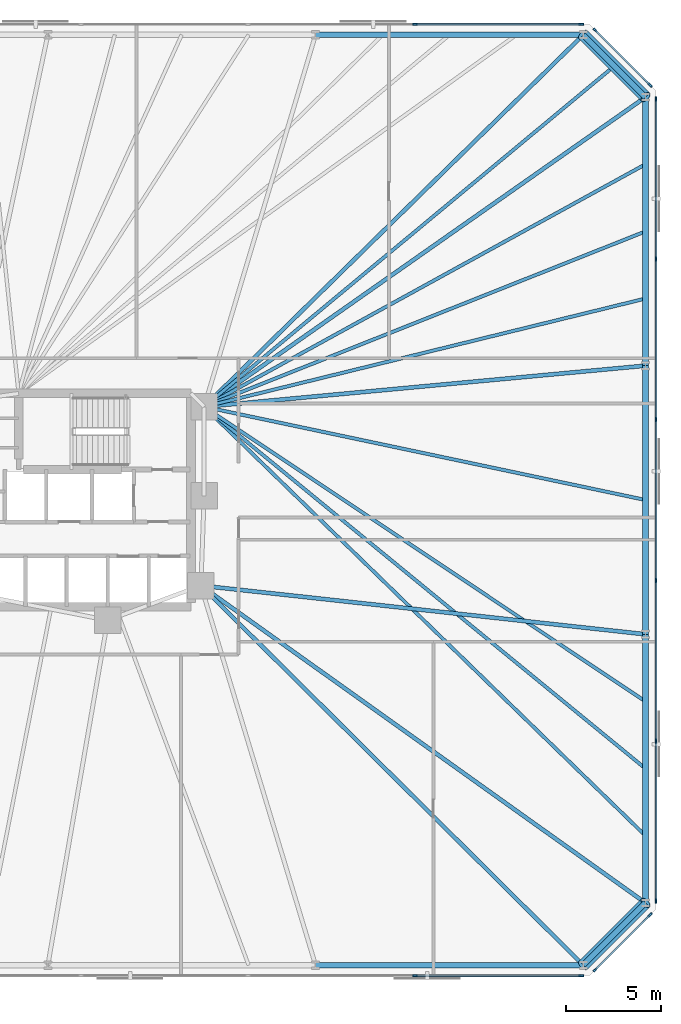
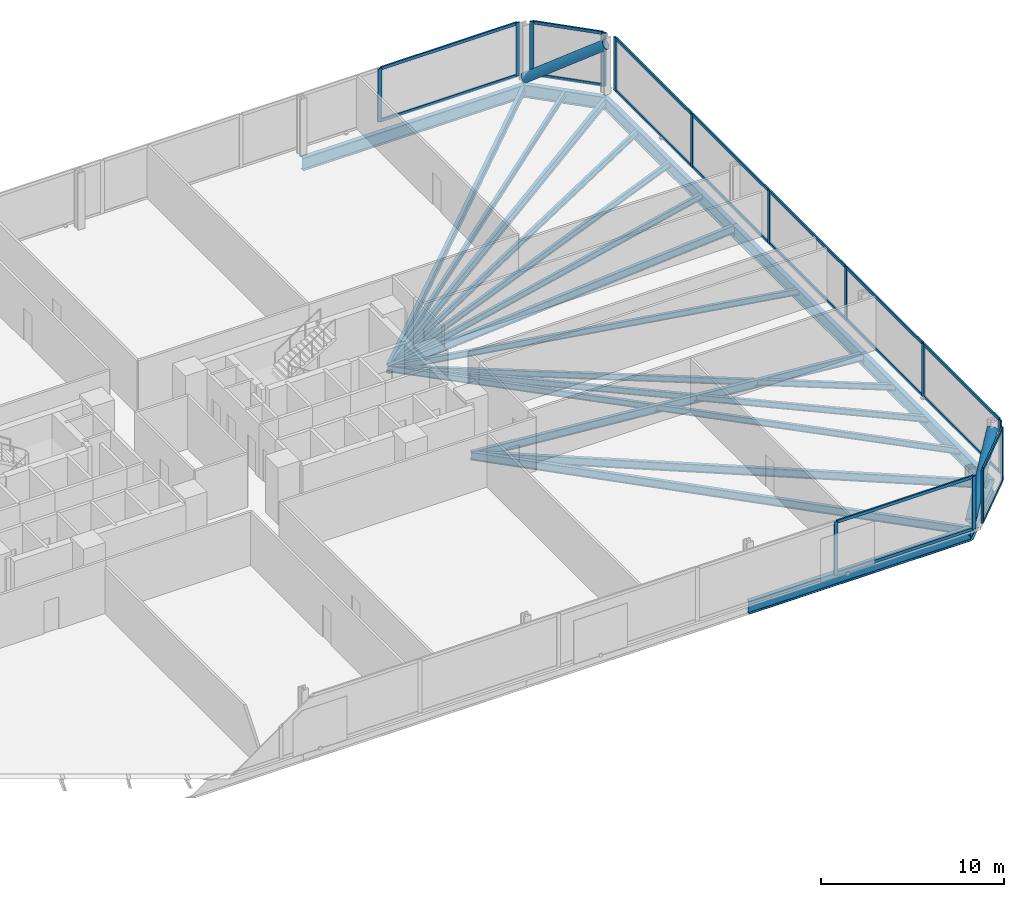
# One storey, part 10 of 17: 34 members, 21 beams, 5 elements without a shape of their own.
"""IFC4 building model written with IfcOpenShell, lengths in metres."""

import ifcopenshell
import ifcopenshell.guid

model = None  # the IFC model being written
_history = None  # IfcOwnerHistory: only IFC2X3 demands one
_inside = {}  # id of a spatial element -> (the spatial element, [elements in it])
_under = {}  # id of a project, library or spatial element -> (it, [spatial elements below it])
_declared = {}  # id of a project -> (the project, [libraries it declares])
_typed = {}  # id of a type object -> (the type object, [elements of that type])
_made_of = {}  # id of a material, layer set ... -> (it, [elements and type objects made of it])


def new_model(schema):
    """Start an empty IFC model of exactly this schema.

    Asked for "IFC4X3", IfcOpenShell would pick the latest addendum, in which some entities
    have other attributes; the version numbers below select the first issue.
    IFC2X3 requires an IfcOwnerHistory on every rooted entity: one is made here for all.
    """
    global model, _history
    if schema == "IFC4X3":
        model = ifcopenshell.file(schema_version=(4, 3, 0, 0))
    else:
        model = ifcopenshell.file(schema=schema)
    _inside.clear()
    _under.clear()
    _declared.clear()
    _typed.clear()
    _made_of.clear()
    _history = None
    if model.schema == "IFC2X3":
        org = make("IfcOrganization", Name="unknown")
        user = make(
            "IfcPersonAndOrganization",
            ThePerson=make("IfcPerson", FamilyName="unknown"),
            TheOrganization=org,
        )
        app = make(
            "IfcApplication",
            ApplicationDeveloper=org,
            Version="unknown",
            ApplicationFullName="unknown",
            ApplicationIdentifier="unknown",
        )
        _history = make(
            "IfcOwnerHistory",
            OwningUser=user,
            OwningApplication=app,
            ChangeAction="ADDED",
            CreationDate=0,
        )
    return model


def make(cls, **values):
    """One entity of the class cls with the attributes given. An attribute that is None is left unset."""
    return model.create_entity(
        cls, **{name: value for name, value in values.items() if value is not None}
    )


def rooted(cls, **values):
    """An entity with a GlobalId (a new one), such as an element, a storey or a relation."""
    return make(cls, GlobalId=ifcopenshell.guid.new(), OwnerHistory=_history, **values)


def si_unit(unit_type, name, prefix=None):
    """IfcSIUnit, for example si_unit("LENGTHUNIT", "METRE", prefix="MILLI")."""
    return make("IfcSIUnit", UnitType=unit_type, Prefix=prefix, Name=name)


def assignment(units):
    """IfcUnitAssignment: the units of a project."""
    return None if units is None else make("IfcUnitAssignment", Units=units)


def point(xyz):
    """IfcCartesianPoint."""
    return None if xyz is None else make("IfcCartesianPoint", Coordinates=xyz)


def direction(xyz):
    """IfcDirection."""
    return None if xyz is None else make("IfcDirection", DirectionRatios=xyz)


def frame(location, z_axis=None, x_axis=None):
    """IfcAxis2Placement3D, a coordinate frame: its origin and axes. An axis left out is left unset."""
    return make(
        "IfcAxis2Placement3D",
        Location=point(location),
        Axis=direction(z_axis),
        RefDirection=direction(x_axis),
    )


def frame_2d(location, x_axis=None):
    """IfcAxis2Placement2D, a coordinate frame in the plane: its origin and x axis."""
    return make(
        "IfcAxis2Placement2D", Location=point(location), RefDirection=direction(x_axis)
    )


def origin():
    """The frame at (0, 0, 0) with its axes left unset."""
    return frame((0.0, 0.0, 0.0))


def origin_2d():
    """The frame at (0, 0) in the plane with its x axis left unset."""
    return frame_2d((0.0, 0.0))


def place(relative_to, where):
    """IfcLocalPlacement: puts the frame where relative to a parent placement (None: the world)."""
    return make(
        "IfcLocalPlacement", PlacementRelTo=relative_to, RelativePlacement=where
    )


def context(
    kind, dimensions, precision=None, world=None, true_north=None, identifier=None
):
    """IfcGeometricRepresentationContext, for example the 3D "Model" context."""
    return make(
        "IfcGeometricRepresentationContext",
        ContextIdentifier=identifier,
        ContextType=kind,
        CoordinateSpaceDimension=dimensions,
        Precision=precision,
        WorldCoordinateSystem=world,
        TrueNorth=true_north,
    )


def subcontext(parent, identifier, kind, view, scale=None):
    """IfcGeometricRepresentationSubContext, for example "Body" below "Model"."""
    return make(
        "IfcGeometricRepresentationSubContext",
        ContextIdentifier=identifier,
        ContextType=kind,
        ParentContext=parent,
        TargetScale=scale,
        TargetView=view,
    )


def project(units=None, contexts=None):
    """IfcProject with its units and contexts."""
    return rooted(
        "IfcProject",
        Name="project",
        RepresentationContexts=contexts,
        UnitsInContext=assignment(units),
    )


def spatial(cls, under=None, at=None, **own):
    """A site, building, storey or space (cls), placed at a placement, below another one or the project."""
    s = rooted(cls, ObjectPlacement=at, **own)
    if under is not None:
        _under.setdefault(under.id(), (under, []))[1].append(s)
    return s


def profile(cls, at=None, kind="AREA", **sizes):
    """A parametric profile (cls). Its sizes go by their IFC names, for example OverallWidth=200.0."""
    return make(cls, ProfileType=kind, Position=at, **sizes)


def rectangle(**sizes):
    """IfcRectangleProfileDef."""
    return profile("IfcRectangleProfileDef", **sizes)


def hollow_circle(**sizes):
    """IfcCircleHollowProfileDef."""
    return profile("IfcCircleHollowProfileDef", **sizes)


def i_section(**sizes):
    """IfcIShapeProfileDef."""
    return profile("IfcIShapeProfileDef", **sizes)


def extrude(swept, where, along, depth):
    """IfcExtrudedAreaSolid: the profile swept, set in the frame where, extruded along a direction by depth."""
    return make(
        "IfcExtrudedAreaSolid",
        SweptArea=swept,
        Position=where,
        ExtrudedDirection=direction(along),
        Depth=depth,
    )


def shape(context_of_items, identifier, shape_type, items):
    """IfcShapeRepresentation: the items that make up one representation, for example the "Body"."""
    return make(
        "IfcShapeRepresentation",
        ContextOfItems=context_of_items,
        RepresentationIdentifier=identifier,
        RepresentationType=shape_type,
        Items=items,
    )


def material(Name=None, Category=None):
    """IfcMaterial."""
    return make("IfcMaterial", Name=Name, Category=Category)


def material_profile(
    of_material, cross_section, Name=None, Category=None, Priority=None
):
    """IfcMaterialProfile: a cross section and its material."""
    return make(
        "IfcMaterialProfile",
        Name=Name,
        Material=of_material,
        Profile=cross_section,
        Priority=Priority,
        Category=Category,
    )


def profile_set(profiles, Name=None, composite=None):
    """IfcMaterialProfileSet."""
    return make(
        "IfcMaterialProfileSet",
        Name=Name,
        MaterialProfiles=profiles,
        CompositeProfile=composite,
    )


def made_of(thing, what):
    """Note that an element or type object is made of a material, layer set ...; save() writes the relation."""
    if what is not None:
        _made_of.setdefault(what.id(), (what, []))[1].append(thing)
    return thing


def type_object(cls, material=None, **own):
    """A type object (cls), such as IfcWallType, which elements share."""
    return made_of(rooted(cls, **own), material)


def element(
    cls,
    number,
    at=None,
    inside=None,
    cuts=None,
    type_object=None,
    material=None,
    context=None,
    identifier="Body",
    shape_type=None,
    held_by="IfcProductDefinitionShape",
    body=None,
    shapes=None,
    **own,
):
    """One element of the class cls, such as IfcWall. Its Tag is "e" and its number.

    at: its placement. inside: the storey or other place that contains it. cuts: it is an
    opening in that element (IfcRelVoidsElement). A single representation is given by context,
    identifier, shape_type and body (its items); several are given by shapes. held_by: the class
    of the entity that holds the representations. save() writes the other relations.
    """
    e = rooted(cls, Tag="e%d" % number, ObjectPlacement=at, **own)
    if body is not None:
        shapes = [shape(context, identifier, shape_type, body)]
    if shapes is not None:
        e.Representation = make(held_by, Representations=shapes)
    if inside is not None:
        _inside.setdefault(inside.id(), (inside, []))[1].append(e)
    if cuts is not None:
        rooted(
            "IfcRelVoidsElement", RelatingBuildingElement=cuts, RelatedOpeningElement=e
        )
    if type_object is not None:
        _typed.setdefault(type_object.id(), (type_object, []))[1].append(e)
    return made_of(e, material)


def aggregate(whole, parts):
    """IfcRelAggregates: a whole, such as a stair, and the parts it consists of."""
    return rooted("IfcRelAggregates", RelatingObject=whole, RelatedObjects=parts)


def save(model, path):
    """Write the relations noted so far, then the file.

    IfcRelAggregates (storeys below a building ...), IfcRelContainedInSpatialStructure (elements
    in a storey), IfcRelDefinesByType, IfcRelAssociatesMaterial and IfcRelDeclares: one each for
    every whole, place, type object, material and project.
    """
    for whole, parts in _under.values():
        aggregate(whole, parts)
    for where, things in _inside.values():
        rooted(
            "IfcRelContainedInSpatialStructure",
            RelatedElements=things,
            RelatingStructure=where,
        )
    for kind, things in _typed.values():
        rooted("IfcRelDefinesByType", RelatedObjects=things, RelatingType=kind)
    for what, things in _made_of.values():
        rooted("IfcRelAssociatesMaterial", RelatedObjects=things, RelatingMaterial=what)
    for by, libraries in _declared.values():
        rooted("IfcRelDeclares", RelatingContext=by, RelatedDefinitions=libraries)
    model.write(path)


model = new_model("IFC4")

# Units and contexts
model_context = context("Model", 3, precision=1e-05, world=origin(), true_north=direction((0.0, 1.0)))
body_context = subcontext(model_context, "Body", "Model", "MODEL_VIEW")
ifc_project = project(units=[si_unit("LENGTHUNIT", "METRE"), si_unit("AREAUNIT", "SQUARE_METRE"), si_unit("VOLUMEUNIT", "CUBIC_METRE"), si_unit("PLANEANGLEUNIT", "RADIAN"), si_unit("MASSUNIT", "GRAM", prefix="KILO")], contexts=[model_context])

# Site, building, storey
site_placement = place(None, origin())
site = spatial("IfcSite", under=ifc_project, at=site_placement, CompositionType="ELEMENT")
building_placement = place(site_placement, origin())
building = spatial("IfcBuilding", under=site, at=building_placement, Name="Menara Jurai Vektor", CompositionType="ELEMENT")
storey_placement = place(building_placement, frame((0.0, 0.0, 18.0)))
storey = spatial("IfcBuildingStorey", under=building, at=storey_placement, Name="L03", CompositionType="ELEMENT", Elevation=18.0)

# Curtain wall, members
ifc_material_1 = material(Name="Anodised Pale Aluminium & Low-E Double Glazing", Category="aluminium")
curtain_wall_type = type_object("IfcCurtainWallType", Name="CW-BLK1", PredefinedType="NOTDEFINED", material=ifc_material_1)
curtain_wall_1_placement = place(storey_placement, origin())
curtain_wall_1 = element("IfcCurtainWall", 1, at=curtain_wall_1_placement, inside=storey, type_object=curtain_wall_type, Name="Unitised Curtain Wall L03 F01", PredefinedType="NOTDEFINED")
ifc_material_2 = material(Name="Anodised Pale Aluminium Mullion", Category="aluminium")
ifc_material_profile_1 = material_profile(ifc_material_2, rectangle(XDim=0.094970703125, YDim=0.239990234375, at=origin_2d()), Name="ALU MUL 95x240")
ifc_profile_set_1 = profile_set([ifc_material_profile_1], Name="Anodised Pale Aluminium Mullion")
member_type_1 = type_object("IfcMemberType", Name="CW-BLK1-MUL", PredefinedType="MULLION", material=ifc_profile_set_1)
member_1_placement = place(storey_placement, frame((26.340087890625, -25.0, 0.0), z_axis=(0.0, 0.0, 1.0), x_axis=(0.0, 1.0, 0.0)))
member_1 = element("IfcMember", 2, at=member_1_placement, type_object=member_type_1, Name="CW-01 mullion 8", PredefinedType="MULLION", context=body_context, shape_type="SweptSolid", body=[
    extrude(rectangle(XDim=0.094970703125, YDim=0.239990234375, at=origin_2d()), origin(), (0.0, 0.0, 1.0), 3.574951171875),
])
member_2_placement = place(storey_placement, frame((35.072509765625, -25.0, 0.0), z_axis=(0.0, 0.0, 1.0), x_axis=(0.0, 1.0, 0.0)))
member_2 = element("IfcMember", 3, at=member_2_placement, type_object=member_type_1, Name="CW-01 mullion 9", PredefinedType="MULLION", context=body_context, shape_type="SweptSolid", body=[
    extrude(rectangle(XDim=0.094970703125, YDim=0.239990234375, at=origin_2d()), origin(), (0.0, 0.0, 1.0), 3.574951171875),
])

curtain_wall_2_placement = place(storey_placement, origin())
curtain_wall_2 = element("IfcCurtainWall", 4, at=curtain_wall_2_placement, inside=storey, type_object=curtain_wall_type, Name="Unitised Curtain Wall L03 F02", PredefinedType="NOTDEFINED")
member_3_placement = place(storey_placement, frame((35.80224609375, -24.69775390625, 0.0), z_axis=(0.0, 0.0, 1.0), x_axis=(-0.707106781187, 0.707106781187, 0.0)))
member_3 = element("IfcMember", 5, at=member_3_placement, type_object=member_type_1, Name="CW-01 mullion 1", PredefinedType="MULLION", context=body_context, shape_type="SweptSolid", body=[
    extrude(rectangle(XDim=0.094970703125, YDim=0.239990234375, at=origin_2d()), origin(), (0.0, 0.0, 1.0), 3.574951171875),
])
member_4_placement = place(storey_placement, frame((38.69775390625, -21.80224609375, 0.0), z_axis=(0.0, 0.0, 1.0), x_axis=(-0.707106781187, 0.707106781187, 0.0)))
member_4 = element("IfcMember", 6, at=member_4_placement, type_object=member_type_1, Name="CW-01 mullion 2", PredefinedType="MULLION", context=body_context, shape_type="SweptSolid", body=[
    extrude(rectangle(XDim=0.094970703125, YDim=0.239990234375, at=origin_2d()), origin(), (0.0, 0.0, 1.0), 3.574951171875),
])

curtain_wall_3_placement = place(storey_placement, origin())
curtain_wall_3 = element("IfcCurtainWall", 7, at=curtain_wall_3_placement, inside=storey, type_object=curtain_wall_type, Name="Unitised Curtain Wall L03 F03", PredefinedType="NOTDEFINED")
member_5_placement = place(storey_placement, frame((39.0, -21.072509765625, 0.0), z_axis=(0.0, 0.0, 1.0), x_axis=(-1.0, 0.0, 0.0)))
member_5 = element("IfcMember", 8, at=member_5_placement, type_object=member_type_1, Name="CW-01 mullion 1", PredefinedType="MULLION", context=body_context, shape_type="SweptSolid", body=[
    extrude(rectangle(XDim=0.094970703125, YDim=0.239990234375, at=origin_2d()), origin(), (0.0, 0.0, 1.0), 3.574951171875),
])
member_6_placement = place(storey_placement, frame((39.0, -12.672119140625, 0.0), z_axis=(0.0, 0.0, 1.0), x_axis=(-1.0, 0.0, 0.0)))
member_6 = element("IfcMember", 9, at=member_6_placement, type_object=member_type_1, Name="CW-01 mullion 2", PredefinedType="MULLION", context=body_context, shape_type="SweptSolid", body=[
    extrude(rectangle(XDim=0.094970703125, YDim=0.239990234375, at=origin_2d()), origin(), (0.0, 0.0, 1.0), 3.574951171875),
])
member_7_placement = place(storey_placement, frame((39.0, -4.22412109375, 0.0), z_axis=(0.0, 0.0, 1.0), x_axis=(-1.0, 0.0, 0.0)))
member_7 = element("IfcMember", 10, at=member_7_placement, type_object=member_type_1, Name="CW-01 mullion 3", PredefinedType="MULLION", context=body_context, shape_type="SweptSolid", body=[
    extrude(rectangle(XDim=0.094970703125, YDim=0.239990234375, at=origin_2d()), origin(), (0.0, 0.0, 1.0), 3.574951171875),
])
member_8_placement = place(storey_placement, frame((39.0, 4.22412109375, 0.0), z_axis=(0.0, 0.0, 1.0), x_axis=(-1.0, 0.0, 0.0)))
member_8 = element("IfcMember", 11, at=member_8_placement, type_object=member_type_1, Name="CW-01 mullion 4", PredefinedType="MULLION", context=body_context, shape_type="SweptSolid", body=[
    extrude(rectangle(XDim=0.094970703125, YDim=0.239990234375, at=origin_2d()), origin(), (0.0, 0.0, 1.0), 3.574951171875),
])
member_9_placement = place(storey_placement, frame((39.0, 12.672119140625, 0.0), z_axis=(0.0, 0.0, 1.0), x_axis=(-1.0, 0.0, 0.0)))
member_9 = element("IfcMember", 12, at=member_9_placement, type_object=member_type_1, Name="CW-01 mullion 5", PredefinedType="MULLION", context=body_context, shape_type="SweptSolid", body=[
    extrude(rectangle(XDim=0.094970703125, YDim=0.239990234375, at=origin_2d()), origin(), (0.0, 0.0, 1.0), 3.574951171875),
])
member_10_placement = place(storey_placement, frame((39.0, 21.072509765625, 0.0), z_axis=(0.0, 0.0, 1.0), x_axis=(-1.0, 0.0, 0.0)))
member_10 = element("IfcMember", 13, at=member_10_placement, type_object=member_type_1, Name="CW-01 mullion 6", PredefinedType="MULLION", context=body_context, shape_type="SweptSolid", body=[
    extrude(rectangle(XDim=0.094970703125, YDim=0.239990234375, at=origin_2d()), origin(), (0.0, 0.0, 1.0), 3.574951171875),
])

curtain_wall_4_placement = place(storey_placement, origin())
curtain_wall_4 = element("IfcCurtainWall", 14, at=curtain_wall_4_placement, inside=storey, type_object=curtain_wall_type, Name="Unitised Curtain Wall L03 F04", PredefinedType="NOTDEFINED")
member_11_placement = place(storey_placement, frame((38.69775390625, 21.80224609375, 0.0), z_axis=(0.0, 0.0, 1.0), x_axis=(-0.707106781187, -0.707106781187, 0.0)))
member_11 = element("IfcMember", 15, at=member_11_placement, type_object=member_type_1, Name="CW-01 mullion 1", PredefinedType="MULLION", context=body_context, shape_type="SweptSolid", body=[
    extrude(rectangle(XDim=0.094970703125, YDim=0.239990234375, at=origin_2d()), origin(), (0.0, 0.0, 1.0), 3.574951171875),
])
member_12_placement = place(storey_placement, frame((35.80224609375, 24.69775390625, 0.0), z_axis=(0.0, 0.0, 1.0), x_axis=(-0.707106781187, -0.707106781187, 0.0)))
member_12 = element("IfcMember", 16, at=member_12_placement, type_object=member_type_1, Name="CW-01 mullion 2", PredefinedType="MULLION", context=body_context, shape_type="SweptSolid", body=[
    extrude(rectangle(XDim=0.094970703125, YDim=0.239990234375, at=origin_2d()), origin(), (0.0, 0.0, 1.0), 3.574951171875),
])

curtain_wall_5_placement = place(storey_placement, origin())
curtain_wall_5 = element("IfcCurtainWall", 17, at=curtain_wall_5_placement, inside=storey, type_object=curtain_wall_type, Name="Unitised Curtain Wall L03 F05", PredefinedType="NOTDEFINED")
member_13_placement = place(storey_placement, frame((35.072509765625, 25.0, 0.0), z_axis=(0.0, 0.0, 1.0), x_axis=(0.0, -1.0, 0.0)))
member_13 = element("IfcMember", 18, at=member_13_placement, type_object=member_type_1, Name="CW-01 mullion 1", PredefinedType="MULLION", context=body_context, shape_type="SweptSolid", body=[
    extrude(rectangle(XDim=0.094970703125, YDim=0.239990234375, at=origin_2d()), origin(), (0.0, 0.0, 1.0), 3.574951171875),
])
member_14_placement = place(storey_placement, frame((26.340087890625, 25.0, 0.0), z_axis=(0.0, 0.0, 1.0), x_axis=(0.0, -1.0, 0.0)))
member_14 = element("IfcMember", 19, at=member_14_placement, type_object=member_type_1, Name="CW-01 mullion 2", PredefinedType="MULLION", context=body_context, shape_type="SweptSolid", body=[
    extrude(rectangle(XDim=0.094970703125, YDim=0.239990234375, at=origin_2d()), origin(), (0.0, 0.0, 1.0), 3.574951171875),
])

# Member
ifc_material_3 = material(Name="Anodised Pale Aluminium Transom", Category="aluminium")
ifc_material_profile_2 = material_profile(ifc_material_3, rectangle(XDim=0.094970703125, YDim=0.199951171875, at=origin_2d()), Name="ALU TRN 95x200")
ifc_profile_set_2 = profile_set([ifc_material_profile_2], Name="Anodised Pale Aluminium Transom")
member_type_2 = type_object("IfcMemberType", Name="CW-BLK1-TRN", PredefinedType="USERDEFINED", material=ifc_profile_set_2)
member_15_placement = place(storey_placement, frame((26.387451171875, -25.0, 0.047607421875), z_axis=(1.0, 0.0, 0.0), x_axis=(0.0, 1.0, 0.0)))
member_15 = element("IfcMember", 20, at=member_15_placement, type_object=member_type_2, Name="CW-01 transom 8.1", ObjectType="TRANSOM", PredefinedType="USERDEFINED", context=body_context, shape_type="SweptSolid", body=[
    extrude(rectangle(XDim=0.094970703125, YDim=0.199951171875, at=origin_2d()), origin(), (0.0, 0.0, 1.0), 8.637451171875),
])

member_16_placement = place(storey_placement, frame((26.387451171875, -25.0, 3.527587890625), z_axis=(1.0, 0.0, 0.0), x_axis=(0.0, 1.0, 0.0)))
member_16 = element("IfcMember", 21, at=member_16_placement, type_object=member_type_2, Name="CW-01 transom 8.2", ObjectType="TRANSOM", PredefinedType="USERDEFINED", context=body_context, shape_type="SweptSolid", body=[
    extrude(rectangle(XDim=0.094970703125, YDim=0.199951171875, at=origin_2d()), origin(), (0.0, 0.0, 1.0), 8.637451171875),
])

aggregate(curtain_wall_1, [member_1, member_2, member_15, member_16])

member_17_placement = place(storey_placement, frame((35.8359375, -24.6640625, 0.047607421875), z_axis=(0.707106781187, 0.707106781187, 0.0), x_axis=(-0.707106781187, 0.707106781187, 0.0)))
member_17 = element("IfcMember", 22, at=member_17_placement, type_object=member_type_2, Name="CW-01 transom 1.1", ObjectType="TRANSOM", PredefinedType="USERDEFINED", context=body_context, shape_type="SweptSolid", body=[
    extrude(rectangle(XDim=0.094970703125, YDim=0.199951171875, at=origin_2d()), origin(), (0.0, 0.0, 1.0), 3.99951171875),
])

member_18_placement = place(storey_placement, frame((35.8359375, -24.6640625, 3.527587890625), z_axis=(0.707106781187, 0.707106781187, 0.0), x_axis=(-0.707106781187, 0.707106781187, 0.0)))
member_18 = element("IfcMember", 23, at=member_18_placement, type_object=member_type_2, Name="CW-01 transom 1.2", ObjectType="TRANSOM", PredefinedType="USERDEFINED", context=body_context, shape_type="SweptSolid", body=[
    extrude(rectangle(XDim=0.094970703125, YDim=0.199951171875, at=origin_2d()), origin(), (0.0, 0.0, 1.0), 3.99951171875),
])

aggregate(curtain_wall_2, [member_3, member_4, member_17, member_18])

member_19_placement = place(storey_placement, frame((39.0, -21.02490234375, 0.047607421875), z_axis=(0.0, 1.0, 0.0), x_axis=(-1.0, 0.0, 0.0)))
member_19 = element("IfcMember", 24, at=member_19_placement, type_object=member_type_2, Name="CW-01 transom 1.1", ObjectType="TRANSOM", PredefinedType="USERDEFINED", context=body_context, shape_type="SweptSolid", body=[
    extrude(rectangle(XDim=0.094970703125, YDim=0.199951171875, at=origin_2d()), origin(), (0.0, 0.0, 1.0), 8.305419921875),
])

member_20_placement = place(storey_placement, frame((39.0, -21.02490234375, 3.527587890625), z_axis=(0.0, 1.0, 0.0), x_axis=(-1.0, 0.0, 0.0)))
member_20 = element("IfcMember", 25, at=member_20_placement, type_object=member_type_2, Name="CW-01 transom 1.2", ObjectType="TRANSOM", PredefinedType="USERDEFINED", context=body_context, shape_type="SweptSolid", body=[
    extrude(rectangle(XDim=0.094970703125, YDim=0.199951171875, at=origin_2d()), origin(), (0.0, 0.0, 1.0), 8.305419921875),
])

member_21_placement = place(storey_placement, frame((39.0, -12.62451171875, 0.047607421875), z_axis=(0.0, 1.0, 0.0), x_axis=(-1.0, 0.0, 0.0)))
member_21 = element("IfcMember", 26, at=member_21_placement, type_object=member_type_2, Name="CW-01 transom 2.1", ObjectType="TRANSOM", PredefinedType="USERDEFINED", context=body_context, shape_type="SweptSolid", body=[
    extrude(rectangle(XDim=0.094970703125, YDim=0.199951171875, at=origin_2d()), origin(), (0.0, 0.0, 1.0), 8.35302734375),
])

member_22_placement = place(storey_placement, frame((39.0, -12.62451171875, 3.527587890625), z_axis=(0.0, 1.0, 0.0), x_axis=(-1.0, 0.0, 0.0)))
member_22 = element("IfcMember", 27, at=member_22_placement, type_object=member_type_2, Name="CW-01 transom 2.2", ObjectType="TRANSOM", PredefinedType="USERDEFINED", context=body_context, shape_type="SweptSolid", body=[
    extrude(rectangle(XDim=0.094970703125, YDim=0.199951171875, at=origin_2d()), origin(), (0.0, 0.0, 1.0), 8.35302734375),
])

member_23_placement = place(storey_placement, frame((39.0, -4.176513671875, 0.047607421875), z_axis=(0.0, 1.0, 0.0), x_axis=(-1.0, 0.0, 0.0)))
member_23 = element("IfcMember", 28, at=member_23_placement, type_object=member_type_2, Name="CW-01 transom 3.1", ObjectType="TRANSOM", PredefinedType="USERDEFINED", context=body_context, shape_type="SweptSolid", body=[
    extrude(rectangle(XDim=0.094970703125, YDim=0.199951171875, at=origin_2d()), origin(), (0.0, 0.0, 1.0), 8.35302734375),
])

member_24_placement = place(storey_placement, frame((39.0, -4.176513671875, 3.527587890625), z_axis=(0.0, 1.0, 0.0), x_axis=(-1.0, 0.0, 0.0)))
member_24 = element("IfcMember", 29, at=member_24_placement, type_object=member_type_2, Name="CW-01 transom 3.2", ObjectType="TRANSOM", PredefinedType="USERDEFINED", context=body_context, shape_type="SweptSolid", body=[
    extrude(rectangle(XDim=0.094970703125, YDim=0.199951171875, at=origin_2d()), origin(), (0.0, 0.0, 1.0), 8.35302734375),
])

member_25_placement = place(storey_placement, frame((39.0, 4.271484375, 0.047607421875), z_axis=(0.0, 1.0, 0.0), x_axis=(-1.0, 0.0, 0.0)))
member_25 = element("IfcMember", 30, at=member_25_placement, type_object=member_type_2, Name="CW-01 transom 4.1", ObjectType="TRANSOM", PredefinedType="USERDEFINED", context=body_context, shape_type="SweptSolid", body=[
    extrude(rectangle(XDim=0.094970703125, YDim=0.199951171875, at=origin_2d()), origin(), (0.0, 0.0, 1.0), 8.35302734375),
])

member_26_placement = place(storey_placement, frame((39.0, 4.271484375, 3.527587890625), z_axis=(0.0, 1.0, 0.0), x_axis=(-1.0, 0.0, 0.0)))
member_26 = element("IfcMember", 31, at=member_26_placement, type_object=member_type_2, Name="CW-01 transom 4.2", ObjectType="TRANSOM", PredefinedType="USERDEFINED", context=body_context, shape_type="SweptSolid", body=[
    extrude(rectangle(XDim=0.094970703125, YDim=0.199951171875, at=origin_2d()), origin(), (0.0, 0.0, 1.0), 8.35302734375),
])

member_27_placement = place(storey_placement, frame((39.0, 12.719482421875, 0.047607421875), z_axis=(0.0, 1.0, 0.0), x_axis=(-1.0, 0.0, 0.0)))
member_27 = element("IfcMember", 32, at=member_27_placement, type_object=member_type_2, Name="CW-01 transom 5.1", ObjectType="TRANSOM", PredefinedType="USERDEFINED", context=body_context, shape_type="SweptSolid", body=[
    extrude(rectangle(XDim=0.094970703125, YDim=0.199951171875, at=origin_2d()), origin(), (0.0, 0.0, 1.0), 8.305419921875),
])

member_28_placement = place(storey_placement, frame((39.0, 12.719482421875, 3.527587890625), z_axis=(0.0, 1.0, 0.0), x_axis=(-1.0, 0.0, 0.0)))
member_28 = element("IfcMember", 33, at=member_28_placement, type_object=member_type_2, Name="CW-01 transom 5.2", ObjectType="TRANSOM", PredefinedType="USERDEFINED", context=body_context, shape_type="SweptSolid", body=[
    extrude(rectangle(XDim=0.094970703125, YDim=0.199951171875, at=origin_2d()), origin(), (0.0, 0.0, 1.0), 8.305419921875),
])

aggregate(curtain_wall_3, [member_5, member_6, member_7, member_8, member_9, member_10, member_19, member_20, member_21, member_22, member_23, member_24, member_25, member_26, member_27, member_28])

member_29_placement = place(storey_placement, frame((38.6640625, 21.8359375, 0.047607421875), z_axis=(-0.707106781187, 0.707106781187, 0.0), x_axis=(-0.707106781187, -0.707106781187, 0.0)))
member_29 = element("IfcMember", 34, at=member_29_placement, type_object=member_type_2, Name="CW-01 transom 1.1", ObjectType="TRANSOM", PredefinedType="USERDEFINED", context=body_context, shape_type="SweptSolid", body=[
    extrude(rectangle(XDim=0.094970703125, YDim=0.199951171875, at=origin_2d()), origin(), (0.0, 0.0, 1.0), 3.99951171875),
])

member_30_placement = place(storey_placement, frame((38.6640625, 21.8359375, 3.527587890625), z_axis=(-0.707106781187, 0.707106781187, 0.0), x_axis=(-0.707106781187, -0.707106781187, 0.0)))
member_30 = element("IfcMember", 35, at=member_30_placement, type_object=member_type_2, Name="CW-01 transom 1.2", ObjectType="TRANSOM", PredefinedType="USERDEFINED", context=body_context, shape_type="SweptSolid", body=[
    extrude(rectangle(XDim=0.094970703125, YDim=0.199951171875, at=origin_2d()), origin(), (0.0, 0.0, 1.0), 3.99951171875),
])

aggregate(curtain_wall_4, [member_11, member_12, member_29, member_30])

member_31_placement = place(storey_placement, frame((35.02490234375, 25.0, 0.047607421875), z_axis=(-1.0, 0.0, 0.0), x_axis=(0.0, -1.0, 0.0)))
member_31 = element("IfcMember", 36, at=member_31_placement, type_object=member_type_2, Name="CW-01 transom 1.1", ObjectType="TRANSOM", PredefinedType="USERDEFINED", context=body_context, shape_type="SweptSolid", body=[
    extrude(rectangle(XDim=0.094970703125, YDim=0.199951171875, at=origin_2d()), origin(), (0.0, 0.0, 1.0), 8.637451171875),
])

member_32_placement = place(storey_placement, frame((35.02490234375, 25.0, 3.527587890625), z_axis=(-1.0, 0.0, 0.0), x_axis=(0.0, -1.0, 0.0)))
member_32 = element("IfcMember", 37, at=member_32_placement, type_object=member_type_2, Name="CW-01 transom 1.2", ObjectType="TRANSOM", PredefinedType="USERDEFINED", context=body_context, shape_type="SweptSolid", body=[
    extrude(rectangle(XDim=0.094970703125, YDim=0.199951171875, at=origin_2d()), origin(), (0.0, 0.0, 1.0), 8.637451171875),
])

aggregate(curtain_wall_5, [member_13, member_14, member_31, member_32])

# Beams
ifc_material_4 = material(Name="Steel S355", Category="steel")
ifc_material_profile_3 = material_profile(ifc_material_4, i_section(OverallWidth=0.2109375, OverallDepth=0.5390625, WebThickness=0.011962890625, FlangeThickness=0.01904296875, FilletRadius=0.012939453125, at=origin_2d()), Name="UKB 533x210x109")
ifc_profile_set_3 = profile_set([ifc_material_profile_3], Name="Steel S355")
beam_type_1 = type_object("IfcBeamType", Name="STR-BM-533", PredefinedType="BEAM", material=ifc_profile_set_3)
beam_1_placement = place(storey_placement, frame((35.177734375, -24.449951171875, -0.494384765625), z_axis=(-0.709709931659, 0.704494011972, 0.0), x_axis=(-0.704494011972, -0.709709931659, 0.0)))
element("IfcBeam", 38, at=beam_1_placement, inside=storey, type_object=beam_type_1, Name="Radial Floor Girder L03-S6", PredefinedType="BEAM", context=body_context, shape_type="SweptSolid", body=[
    extrude(i_section(OverallWidth=0.2109375, OverallDepth=0.5390625, WebThickness=0.011962890625, FlangeThickness=0.01904296875, FilletRadius=0.012939453125, at=origin_2d()), origin(), (0.0, 0.0, 1.0), 28.318115234375),
])
beam_2_placement = place(storey_placement, frame((38.449951171875, -21.177734375, -0.494384765625), z_axis=(-0.813981033216, 0.580891450759, 0.0), x_axis=(-0.580891450759, -0.813981033216, 0.0)))
element("IfcBeam", 39, at=beam_2_placement, inside=storey, type_object=beam_type_1, Name="Radial Floor Girder L03-E1", PredefinedType="BEAM", context=body_context, shape_type="SweptSolid", body=[
    extrude(i_section(OverallWidth=0.2109375, OverallDepth=0.5390625, WebThickness=0.011962890625, FlangeThickness=0.01904296875, FilletRadius=0.012939453125, at=origin_2d()), origin(), (0.0, 0.0, 1.0), 28.710693359375),
])
beam_3_placement = place(storey_placement, frame((38.449951171875, -7.059326171875, -0.494384765625), z_axis=(-0.994056757953, 0.108863042253, 0.0), x_axis=(-0.108863042253, -0.994056757953, 0.0)))
element("IfcBeam", 40, at=beam_3_placement, inside=storey, type_object=beam_type_1, Name="Radial Floor Girder L03-E2", PredefinedType="BEAM", context=body_context, shape_type="SweptSolid", body=[
    extrude(i_section(OverallWidth=0.2109375, OverallDepth=0.5390625, WebThickness=0.011962890625, FlangeThickness=0.01904296875, FilletRadius=0.012939453125, at=origin_2d()), origin(), (0.0, 0.0, 1.0), 23.509521484375),
])
beam_4_placement = place(storey_placement, frame((38.449951171875, 7.059326171875, -0.494384765625), z_axis=(-0.995696113112, -0.092678208514, 0.0), x_axis=(0.092678208514, -0.995696113112, 0.0)))
element("IfcBeam", 41, at=beam_4_placement, inside=storey, type_object=beam_type_1, Name="Radial Floor Girder L03-E3", PredefinedType="BEAM", context=body_context, shape_type="SweptSolid", body=[
    extrude(i_section(OverallWidth=0.2109375, OverallDepth=0.5390625, WebThickness=0.011962890625, FlangeThickness=0.01904296875, FilletRadius=0.012939453125, at=origin_2d()), origin(), (0.0, 0.0, 1.0), 23.30029296875),
])
beam_5_placement = place(storey_placement, frame((38.449951171875, 21.177734375, -0.494384765625), z_axis=(-0.818603732445, -0.574358711283, 0.0), x_axis=(0.574358711283, -0.818603732445, 0.0)))
element("IfcBeam", 42, at=beam_5_placement, inside=storey, type_object=beam_type_1, Name="Radial Floor Girder L03-E4", PredefinedType="BEAM", context=body_context, shape_type="SweptSolid", body=[
    extrude(i_section(OverallWidth=0.2109375, OverallDepth=0.5390625, WebThickness=0.011962890625, FlangeThickness=0.01904296875, FilletRadius=0.012939453125, at=origin_2d()), origin(), (0.0, 0.0, 1.0), 28.3408203125),
])
beam_6_placement = place(storey_placement, frame((35.177734375, 24.449951171875, -0.494384765625), z_axis=(-0.713839032855, -0.700309813706, 0.0), x_axis=(0.700309813706, -0.713839032855, 0.0)))
element("IfcBeam", 43, at=beam_6_placement, inside=storey, type_object=beam_type_1, Name="Radial Floor Girder L03-N1", PredefinedType="BEAM", context=body_context, shape_type="SweptSolid", body=[
    extrude(i_section(OverallWidth=0.2109375, OverallDepth=0.5390625, WebThickness=0.011962890625, FlangeThickness=0.01904296875, FilletRadius=0.012939453125, at=origin_2d()), origin(), (0.0, 0.0, 1.0), 27.916259765625),
])

# Members
ifc_material_5 = material(Name="Steel S460", Category="steel")
ifc_material_profile_4 = material_profile(ifc_material_5, hollow_circle(Radius=0.304931640625, WallThickness=0.02490234375, at=origin_2d()), Name="CHS 610x25")
ifc_profile_set_4 = profile_set([ifc_material_profile_4], Name="Steel S460")
member_type_3 = type_object("IfcMemberType", Name="STR-BR-610", PredefinedType="BRACE", material=ifc_profile_set_4)
for number, where, z_axis, x_axis, name in (
    (44, (35.177734375, -24.449951171875, 0.14990234375), (0.588928100616, 0.588928100616, 0.55346850372), (-0.707106781187, 0.707106781187, 0.0), "Exoskeleton Corner Brace L03-1"),
    (45, (35.177734375, 24.449951171875, 0.14990234375), (0.588928100616, -0.588928100616, 0.55346850372), (0.707106781187, 0.707106781187, 0.0), "Exoskeleton Corner Brace L03-2"),
):
    element("IfcMember", number, at=place(storey_placement, frame(where, z_axis=z_axis, x_axis=x_axis)), inside=storey, type_object=member_type_3, Name=name, PredefinedType="BRACE", context=body_context, shape_type="SweptSolid", body=[
        extrude(hollow_circle(Radius=0.304931640625, WallThickness=0.02490234375, at=origin_2d()), origin(), (0.0, 0.0, 1.0), 5.55615234375),
    ])

# Beams
ifc_material_profile_5 = material_profile(ifc_material_4, i_section(OverallWidth=0.178955078125, OverallDepth=0.408935546875, WebThickness=0.009033203125, FlangeThickness=0.013916015625, FilletRadius=0.010009765625, at=origin_2d()), Name="UKB 406x178x67")
ifc_profile_set_5 = profile_set([ifc_material_profile_5], Name="Steel S355")
beam_type_2 = type_object("IfcBeamType", Name="STR-JS-406", PredefinedType="JOIST", material=ifc_profile_set_5)
beam_7_placement = place(storey_placement, frame((38.449951171875, -17.648193359375, -0.429443359375), z_axis=(-0.71710942187, 0.696960599363, 0.0), x_axis=(-0.696960599363, -0.71710942187, 0.0)))
element("IfcBeam", 46, at=beam_7_placement, inside=storey, type_object=beam_type_2, Name="Radial Secondary Floor Joist L03-JS08", PredefinedType="JOIST", context=body_context, shape_type="SweptSolid", body=[
    extrude(i_section(OverallWidth=0.178955078125, OverallDepth=0.408935546875, WebThickness=0.009033203125, FlangeThickness=0.013916015625, FilletRadius=0.010009765625, at=origin_2d()), origin(), (0.0, 0.0, 1.0), 32.35205078125),
])
beam_8_placement = place(storey_placement, frame((38.449951171875, -14.118408203125, -0.429443359375), z_axis=(-0.773360118456, 0.633966976413, 0.0), x_axis=(-0.633966976413, -0.773360118456, 0.0)))
element("IfcBeam", 47, at=beam_8_placement, inside=storey, type_object=beam_type_2, Name="Radial Secondary Floor Joist L03-JS09", PredefinedType="JOIST", context=body_context, shape_type="SweptSolid", body=[
    extrude(i_section(OverallWidth=0.178955078125, OverallDepth=0.408935546875, WebThickness=0.009033203125, FlangeThickness=0.013916015625, FilletRadius=0.010009765625, at=origin_2d()), origin(), (0.0, 0.0, 1.0), 29.998779296875),
])
beam_9_placement = place(storey_placement, frame((38.449951171875, -10.5888671875, -0.429443359375), z_axis=(-0.831683872109, 0.555249436627, 0.0), x_axis=(-0.555249436627, -0.831683872109, 0.0)))
element("IfcBeam", 48, at=beam_9_placement, inside=storey, type_object=beam_type_2, Name="Radial Secondary Floor Joist L03-JS10", PredefinedType="JOIST", context=body_context, shape_type="SweptSolid", body=[
    extrude(i_section(OverallWidth=0.178955078125, OverallDepth=0.408935546875, WebThickness=0.009033203125, FlangeThickness=0.013916015625, FilletRadius=0.010009765625, at=origin_2d()), origin(), (0.0, 0.0, 1.0), 27.895263671875),
])
beam_10_placement = place(storey_placement, frame((38.449951171875, 0.0, -0.429443359375), z_axis=(-0.978416084102, 0.206644541109, 0.0), x_axis=(-0.206644541109, -0.978416084102, 0.0)))
element("IfcBeam", 49, at=beam_10_placement, inside=storey, type_object=beam_type_2, Name="Radial Secondary Floor Joist L03-JS11", PredefinedType="JOIST", context=body_context, shape_type="SweptSolid", body=[
    extrude(i_section(OverallWidth=0.178955078125, OverallDepth=0.408935546875, WebThickness=0.009033203125, FlangeThickness=0.013916015625, FilletRadius=0.010009765625, at=origin_2d()), origin(), (0.0, 0.0, 1.0), 23.711669921875),
])
beam_11_placement = place(storey_placement, frame((38.449951171875, 10.5888671875, -0.429443359375), z_axis=(-0.971226234641, -0.238158772976, 0.0), x_axis=(0.238158772976, -0.971226234641, 0.0)))
element("IfcBeam", 50, at=beam_11_placement, inside=storey, type_object=beam_type_2, Name="Radial Secondary Floor Joist L03-JS12", PredefinedType="JOIST", context=body_context, shape_type="SweptSolid", body=[
    extrude(i_section(OverallWidth=0.178955078125, OverallDepth=0.408935546875, WebThickness=0.009033203125, FlangeThickness=0.013916015625, FilletRadius=0.010009765625, at=origin_2d()), origin(), (0.0, 0.0, 1.0), 23.88720703125),
])
beam_12_placement = place(storey_placement, frame((38.449951171875, 14.118408203125, -0.429443359375), z_axis=(-0.929323400723, -0.369266864027, 0.0), x_axis=(0.369266864027, -0.929323400723, 0.0)))
element("IfcBeam", 51, at=beam_12_placement, inside=storey, type_object=beam_type_2, Name="Radial Secondary Floor Joist L03-JS13", PredefinedType="JOIST", context=body_context, shape_type="SweptSolid", body=[
    extrude(i_section(OverallWidth=0.178955078125, OverallDepth=0.408935546875, WebThickness=0.009033203125, FlangeThickness=0.013916015625, FilletRadius=0.010009765625, at=origin_2d()), origin(), (0.0, 0.0, 1.0), 24.96435546875),
])
beam_13_placement = place(storey_placement, frame((38.449951171875, 17.648193359375, -0.429443359375), z_axis=(-0.87640219057, -0.481579900291, 0.0), x_axis=(0.481579900291, -0.87640219057, 0.0)))
element("IfcBeam", 52, at=beam_13_placement, inside=storey, type_object=beam_type_2, Name="Radial Secondary Floor Joist L03-JS14", PredefinedType="JOIST", context=body_context, shape_type="SweptSolid", body=[
    extrude(i_section(OverallWidth=0.178955078125, OverallDepth=0.408935546875, WebThickness=0.009033203125, FlangeThickness=0.013916015625, FilletRadius=0.010009765625, at=origin_2d()), origin(), (0.0, 0.0, 1.0), 26.471923828125),
])
beam_14_placement = place(storey_placement, frame((36.81396484375, 22.81396484375, -0.429443359375), z_axis=(-0.769201173096, -0.639006694259, 0.0), x_axis=(0.639006694259, -0.769201173096, 0.0)))
element("IfcBeam", 53, at=beam_14_placement, inside=storey, type_object=beam_type_2, Name="Radial Secondary Floor Joist L03-JS15", PredefinedType="JOIST", context=body_context, shape_type="SweptSolid", body=[
    extrude(i_section(OverallWidth=0.178955078125, OverallDepth=0.408935546875, WebThickness=0.009033203125, FlangeThickness=0.013916015625, FilletRadius=0.010009765625, at=origin_2d()), origin(), (0.0, 0.0, 1.0), 28.0341796875),
])
ifc_material_profile_6 = material_profile(ifc_material_5, i_section(OverallWidth=0.2939453125, OverallDepth=0.85107421875, WebThickness=0.01611328125, FlangeThickness=0.027099609375, FilletRadius=0.01806640625, at=origin_2d()), Name="UKB 838x292x226")
ifc_profile_set_6 = profile_set([ifc_material_profile_6], Name="Steel S460")
beam_type_3 = type_object("IfcBeamType", Name="STR-SP-838", PredefinedType="SPANDREL", material=ifc_profile_set_6)
beam_15_placement = place(storey_placement, frame((21.106689453125, -24.449951171875, -0.650390625), z_axis=(1.0, 0.0, 0.0), x_axis=(0.0, 1.0, 0.0)))
element("IfcBeam", 54, at=beam_15_placement, inside=storey, type_object=beam_type_3, Name="Exoskeleton Spandrel Beam L03-05", PredefinedType="SPANDREL", context=body_context, shape_type="SweptSolid", body=[
    extrude(i_section(OverallWidth=0.2939453125, OverallDepth=0.85107421875, WebThickness=0.01611328125, FlangeThickness=0.027099609375, FilletRadius=0.01806640625, at=origin_2d()), origin(), (0.0, 0.0, 1.0), 14.071044921875),
])
beam_16_placement = place(storey_placement, frame((35.177734375, -24.449951171875, -0.650390625), z_axis=(0.707106781187, 0.707106781187, 0.0), x_axis=(-0.707106781187, 0.707106781187, 0.0)))
element("IfcBeam", 55, at=beam_16_placement, inside=storey, type_object=beam_type_3, Name="Exoskeleton Spandrel Beam L03-06", PredefinedType="SPANDREL", context=body_context, shape_type="SweptSolid", body=[
    extrude(i_section(OverallWidth=0.2939453125, OverallDepth=0.85107421875, WebThickness=0.01611328125, FlangeThickness=0.027099609375, FilletRadius=0.01806640625, at=origin_2d()), origin(), (0.0, 0.0, 1.0), 4.627685546875),
])
beam_17_placement = place(storey_placement, frame((38.449951171875, -21.177734375, -0.650390625), z_axis=(0.0, 1.0, 0.0), x_axis=(-1.0, 0.0, 0.0)))
element("IfcBeam", 56, at=beam_17_placement, inside=storey, type_object=beam_type_3, Name="Exoskeleton Spandrel Beam L03-07", PredefinedType="SPANDREL", context=body_context, shape_type="SweptSolid", body=[
    extrude(i_section(OverallWidth=0.2939453125, OverallDepth=0.85107421875, WebThickness=0.01611328125, FlangeThickness=0.027099609375, FilletRadius=0.01806640625, at=origin_2d()), origin(), (0.0, 0.0, 1.0), 14.118408203125),
])
beam_18_placement = place(storey_placement, frame((38.449951171875, -7.059326171875, -0.650390625), z_axis=(0.0, 1.0, 0.0), x_axis=(-1.0, 0.0, 0.0)))
element("IfcBeam", 57, at=beam_18_placement, inside=storey, type_object=beam_type_3, Name="Exoskeleton Spandrel Beam L03-08", PredefinedType="SPANDREL", context=body_context, shape_type="SweptSolid", body=[
    extrude(i_section(OverallWidth=0.2939453125, OverallDepth=0.85107421875, WebThickness=0.01611328125, FlangeThickness=0.027099609375, FilletRadius=0.01806640625, at=origin_2d()), origin(), (0.0, 0.0, 1.0), 14.11865234375),
])
beam_19_placement = place(storey_placement, frame((38.449951171875, 7.059326171875, -0.650390625), z_axis=(0.0, 1.0, 0.0), x_axis=(-1.0, 0.0, 0.0)))
element("IfcBeam", 58, at=beam_19_placement, inside=storey, type_object=beam_type_3, Name="Exoskeleton Spandrel Beam L03-09", PredefinedType="SPANDREL", context=body_context, shape_type="SweptSolid", body=[
    extrude(i_section(OverallWidth=0.2939453125, OverallDepth=0.85107421875, WebThickness=0.01611328125, FlangeThickness=0.027099609375, FilletRadius=0.01806640625, at=origin_2d()), origin(), (0.0, 0.0, 1.0), 14.118408203125),
])
beam_20_placement = place(storey_placement, frame((38.449951171875, 21.177734375, -0.650390625), z_axis=(-0.707106781187, 0.707106781187, 0.0), x_axis=(-0.707106781187, -0.707106781187, 0.0)))
element("IfcBeam", 59, at=beam_20_placement, inside=storey, type_object=beam_type_3, Name="Exoskeleton Spandrel Beam L03-10", PredefinedType="SPANDREL", context=body_context, shape_type="SweptSolid", body=[
    extrude(i_section(OverallWidth=0.2939453125, OverallDepth=0.85107421875, WebThickness=0.01611328125, FlangeThickness=0.027099609375, FilletRadius=0.01806640625, at=origin_2d()), origin(), (0.0, 0.0, 1.0), 4.627685546875),
])
beam_21_placement = place(storey_placement, frame((35.177734375, 24.449951171875, -0.650390625), z_axis=(-1.0, 0.0, 0.0), x_axis=(0.0, -1.0, 0.0)))
element("IfcBeam", 60, at=beam_21_placement, inside=storey, type_object=beam_type_3, Name="Exoskeleton Spandrel Beam L03-11", PredefinedType="SPANDREL", context=body_context, shape_type="SweptSolid", body=[
    extrude(i_section(OverallWidth=0.2939453125, OverallDepth=0.85107421875, WebThickness=0.01611328125, FlangeThickness=0.027099609375, FilletRadius=0.01806640625, at=origin_2d()), origin(), (0.0, 0.0, 1.0), 14.071044921875),
])

save(model, "model.ifc")
